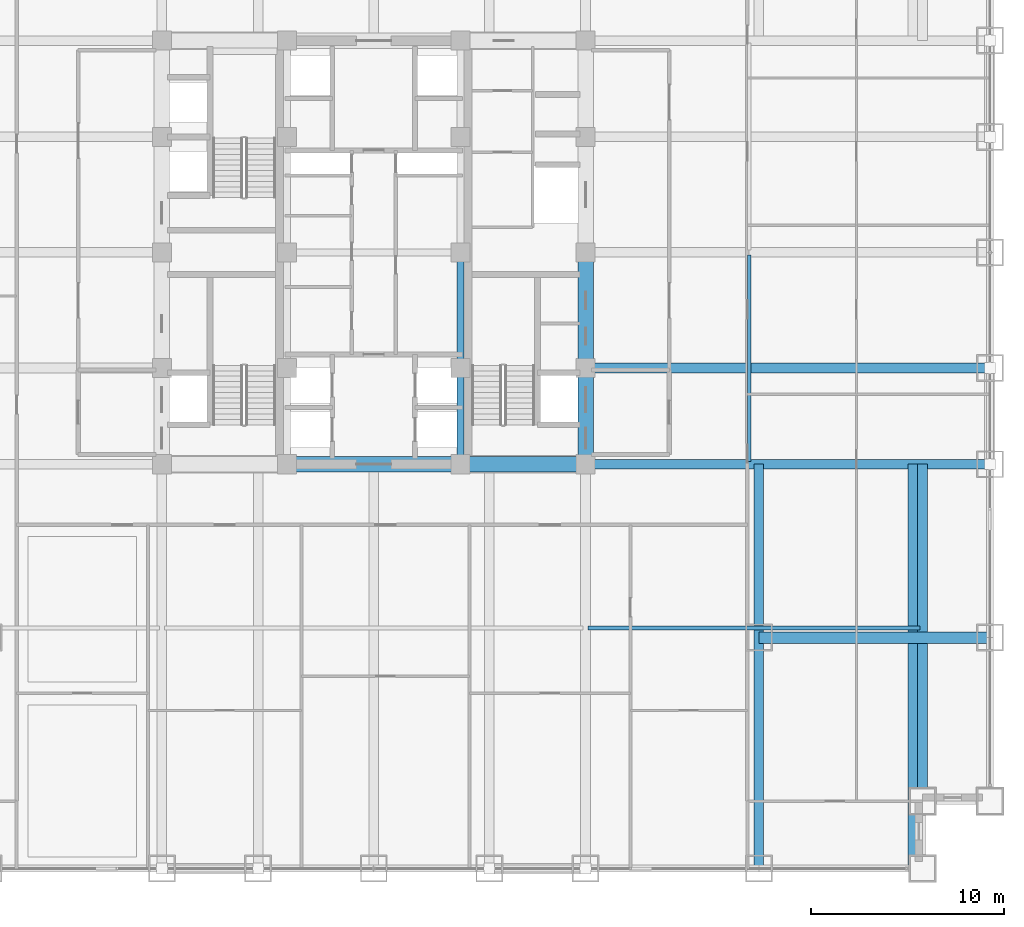
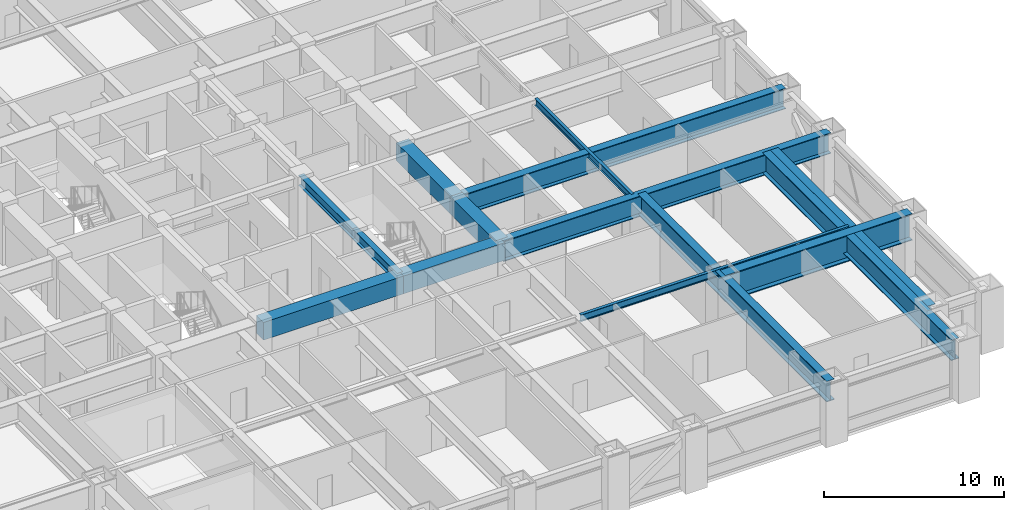
# One storey, part 7 of 29: 14 beams.
"""IFC4 building model written with IfcOpenShell, lengths in metres."""

from ifc_helpers import new_model, si_unit, direction, frame, origin, origin_2d, place, context, subcontext, project, spatial, rectangle, i_section, extrude, source, transform, mapped, material, material_profile, profile_set, type_object, element, save


model = new_model("IFC4")

# Units and contexts
model_context = context("Model", 3, precision=1e-05, world=origin(), true_north=direction((0.0, 1.0)))
body_context = subcontext(model_context, "Body", "Model", "MODEL_VIEW")
ifc_project = project(units=[si_unit("LENGTHUNIT", "METRE"), si_unit("AREAUNIT", "SQUARE_METRE"), si_unit("VOLUMEUNIT", "CUBIC_METRE"), si_unit("PLANEANGLEUNIT", "RADIAN"), si_unit("MASSUNIT", "GRAM", prefix="KILO")], contexts=[model_context])

# Site, building, storey
site_placement = place(None, origin())
site = spatial("IfcSite", under=ifc_project, at=site_placement, CompositionType="ELEMENT")
building_placement = place(site_placement, origin())
building = spatial("IfcBuilding", under=site, at=building_placement, Name="Khorayat Bourse Tower", CompositionType="ELEMENT")
storey_placement = place(building_placement, frame((0.0, 0.0, 87.199951171875)))
storey = spatial("IfcBuildingStorey", under=building, at=storey_placement, Name="L19", CompositionType="ELEMENT", Elevation=87.199951171875)

# Beams
ifc_material_1 = material(Name="Concrete C72/90", Category="concrete")
ifc_material_profile_1 = material_profile(ifc_material_1, rectangle(XDim=0.800048828125, YDim=1.199951171875, at=origin_2d()), Name="RC 800x1200")
ifc_profile_set_1 = profile_set([ifc_material_profile_1], Name="Concrete C72/90")
beam_type_1 = type_object("IfcBeamType", Name="BM-COUP-1200", PredefinedType="BEAM", material=ifc_profile_set_1)
shared_shape_1 = source(origin(), body_context, "Body", "SweptSolid", [
    extrude(rectangle(XDim=0.800048828125, YDim=1.199951171875, at=origin_2d()), origin(), (0.0, 0.0, 1.0), 5.0),
])
beam_1_placement = place(storey_placement, frame((11.0, -11.0, 3.340087890625), z_axis=(0.0, 1.0, 0.0), x_axis=(-1.0, 0.0, 0.0)))
element("IfcBeam", 1, at=beam_1_placement, inside=storey, type_object=beam_type_1, Name="L19 BM-COUP-1200 BM-L19-CRX-13", PredefinedType="BEAM", context=body_context, shape_type="MappedRepresentation", body=[
    mapped(shared_shape_1, transform((0.0, 0.0, 0.0), scale=1.0)),
])
shared_shape_2 = source(origin(), body_context, "Body", "SweptSolid", [
    extrude(rectangle(XDim=0.800048828125, YDim=1.199951171875, at=origin_2d()), origin(), (0.0, 0.0, 1.0), 6.0),
])
beam_2_placement = place(storey_placement, frame((11.0, -6.0, 3.340087890625), z_axis=(0.0, 1.0, 0.0), x_axis=(-1.0, 0.0, 0.0)))
element("IfcBeam", 2, at=beam_2_placement, inside=storey, type_object=beam_type_1, Name="L19 BM-COUP-1200 BM-L19-CRX-14", PredefinedType="BEAM", context=body_context, shape_type="MappedRepresentation", body=[
    mapped(shared_shape_2, transform((0.0, 0.0, 0.0), scale=1.0)),
])
ifc_material_2 = material(Name="Steel ASTM A992 Grade 50", Category="steel")
ifc_material_profile_2 = material_profile(ifc_material_2, i_section(OverallWidth=0.35498046875, OverallDepth=0.695068359375, WebThickness=0.015380859375, FlangeThickness=0.02490234375, FilletRadius=0.01806640625, at=origin_2d()), Name="W690X217")
ifc_profile_set_2 = profile_set([ifc_material_profile_2], Name="Steel ASTM A992 Grade 50")
beam_type_2 = type_object("IfcBeamType", Name="BM-GIRD-690", PredefinedType="BEAM", material=ifc_profile_set_2)
shared_shape_3 = source(origin(), body_context, "Body", "SweptSolid", [
    extrude(i_section(OverallWidth=0.35498046875, OverallDepth=0.695068359375, WebThickness=0.015380859375, FlangeThickness=0.02490234375, FilletRadius=0.01806640625, at=origin_2d()), origin(), (0.0, 0.0, 1.0), 5.0),
])
beam_3_placement = place(storey_placement, frame((4.5, -11.0, 3.592529296875), z_axis=(0.0, 1.0, 0.0), x_axis=(-1.0, 0.0, 0.0)))
element("IfcBeam", 3, at=beam_3_placement, inside=storey, type_object=beam_type_2, Name="L19 BM-GIRD-690 BM-L19-CRX-09", PredefinedType="BEAM", context=body_context, shape_type="MappedRepresentation", body=[
    mapped(shared_shape_3, transform((0.0, 0.0, 0.0), scale=1.0)),
])
shared_shape_4 = source(origin(), body_context, "Body", "SweptSolid", [
    extrude(i_section(OverallWidth=0.35498046875, OverallDepth=0.695068359375, WebThickness=0.015380859375, FlangeThickness=0.02490234375, FilletRadius=0.01806640625, at=origin_2d()), origin(), (0.0, 0.0, 1.0), 6.0),
])
beam_4_placement = place(storey_placement, frame((4.5, -6.0, 3.592529296875), z_axis=(0.0, 1.0, 0.0), x_axis=(-1.0, 0.0, 0.0)))
element("IfcBeam", 4, at=beam_4_placement, inside=storey, type_object=beam_type_2, Name="L19 BM-GIRD-690 BM-L19-CRX-10", PredefinedType="BEAM", context=body_context, shape_type="MappedRepresentation", body=[
    mapped(shared_shape_4, transform((0.0, 0.0, 0.0), scale=1.0)),
])
shared_shape_5 = source(origin(), body_context, "Body", "SweptSolid", [
    extrude(rectangle(XDim=0.800048828125, YDim=1.199951171875, at=origin_2d()), origin(), (0.0, 0.0, 1.0), 6.5),
])
beam_5_placement = place(storey_placement, frame((4.5, -11.0, 3.340087890625), z_axis=(1.0, 0.0, 0.0), x_axis=(0.0, 1.0, 0.0)))
element("IfcBeam", 5, at=beam_5_placement, inside=storey, type_object=beam_type_1, Name="L19 BM-COUP-1200 BM-L19-CRY-19", PredefinedType="BEAM", context=body_context, shape_type="MappedRepresentation", body=[
    mapped(shared_shape_5, transform((0.0, 0.0, 0.0), scale=1.0)),
])
shared_shape_6 = source(origin(), body_context, "Body", "SweptSolid", [
    extrude(rectangle(XDim=0.800048828125, YDim=1.199951171875, at=origin_2d()), origin(), (0.0, 0.0, 1.0), 9.0),
])
beam_6_placement = place(storey_placement, frame((-4.5, -11.0, 3.340087890625), z_axis=(1.0, 0.0, 0.0), x_axis=(0.0, 1.0, 0.0)))
element("IfcBeam", 6, at=beam_6_placement, inside=storey, type_object=beam_type_1, Name="L19 BM-COUP-1200 BM-L19-CRY-18", PredefinedType="BEAM", context=body_context, shape_type="MappedRepresentation", body=[
    mapped(shared_shape_6, transform((0.0, 0.0, 0.0), scale=1.0)),
])
ifc_material_3 = material(Name="Steel EN 10025-4 S460M", Category="steel")
ifc_material_profile_3 = material_profile(ifc_material_3, i_section(OverallWidth=0.60009765625, OverallDepth=1.800048828125, WebThickness=0.031982421875, FlangeThickness=0.06005859375, at=origin_2d()), Name="PG 1800x600x32x60")
ifc_profile_set_3 = profile_set([ifc_material_profile_3], Name="Steel EN 10025-4 S460M")
beam_type_3 = type_object("IfcBeamType", Name="BM-TR-1800", PredefinedType="BEAM", material=ifc_profile_set_3)
shared_shape_7 = source(origin(), body_context, "Body", "SweptSolid", [
    extrude(i_section(OverallWidth=0.60009765625, OverallDepth=1.800048828125, WebThickness=0.031982421875, FlangeThickness=0.06005859375, at=origin_2d()), origin(), (0.0, 0.0, 1.0), 12.0),
])
beam_7_placement = place(storey_placement, frame((20.0, -20.0, 3.0400390625), z_axis=(1.0, 0.0, 0.0), x_axis=(0.0, 1.0, 0.0)))
element("IfcBeam", 7, at=beam_7_placement, inside=storey, type_object=beam_type_3, Name="L19 BM-TR-1800 BM-L19-CNRX-096", PredefinedType="BEAM", context=body_context, shape_type="MappedRepresentation", body=[
    mapped(shared_shape_7, transform((0.0, 0.0, 0.0), scale=1.0)),
])
ifc_material_profile_4 = material_profile(ifc_material_2, i_section(OverallWidth=0.194091796875, OverallDepth=0.468994140625, WebThickness=0.0126953125, FlangeThickness=0.0205078125, FilletRadius=0.012939453125, at=origin_2d()), Name="W460X106")
ifc_profile_set_4 = profile_set([ifc_material_profile_4], Name="Steel ASTM A992 Grade 50")
beam_type_4 = type_object("IfcBeamType", Name="BM-JOIST-460", PredefinedType="JOIST", material=ifc_profile_set_4)
shared_shape_8 = source(origin(), body_context, "Body", "SweptSolid", [
    extrude(i_section(OverallWidth=0.194091796875, OverallDepth=0.468994140625, WebThickness=0.0126953125, FlangeThickness=0.0205078125, FilletRadius=0.012939453125, at=origin_2d()), origin(), (0.0, 0.0, 1.0), 17.240234375),
])
beam_8_placement = place(storey_placement, frame((11.1298828125, -19.5, 3.70556640625), z_axis=(1.0, 0.0, 0.0), x_axis=(0.0, 1.0, 0.0)))
element("IfcBeam", 8, at=beam_8_placement, inside=storey, type_object=beam_type_4, Name="L19 BM-JOIST-460 BM-L19-JSTX-106", PredefinedType="JOIST", context=body_context, shape_type="MappedRepresentation", body=[
    mapped(shared_shape_8, transform((0.0, 0.0, 0.0), scale=1.0)),
])
shared_shape_9 = source(origin(), body_context, "Body", "SweptSolid", [
    extrude(i_section(OverallWidth=0.194091796875, OverallDepth=0.468994140625, WebThickness=0.0126953125, FlangeThickness=0.0205078125, FilletRadius=0.012939453125, at=origin_2d()), origin(), (0.0, 0.0, 1.0), 10.740234375),
])
beam_9_placement = place(storey_placement, frame((19.5, -10.8701171875, 3.70556640625), z_axis=(0.0, 1.0, 0.0), x_axis=(-1.0, 0.0, 0.0)))
element("IfcBeam", 9, at=beam_9_placement, inside=storey, type_object=beam_type_4, Name="L19 BM-JOIST-460 BM-L19-JSTY-112", PredefinedType="JOIST", context=body_context, shape_type="MappedRepresentation", body=[
    mapped(shared_shape_9, transform((0.0, 0.0, 0.0), scale=1.0)),
])
ifc_material_profile_5 = material_profile(ifc_material_3, i_section(OverallWidth=0.5, OverallDepth=1.39990234375, WebThickness=0.02490234375, FlangeThickness=0.050048828125, at=origin_2d()), Name="PG 1400x500x25x50")
ifc_profile_set_5 = profile_set([ifc_material_profile_5], Name="Steel EN 10025-4 S460M")
beam_type_5 = type_object("IfcBeamType", Name="BM-TR-1400", PredefinedType="BEAM", material=ifc_profile_set_5)
shared_shape_10 = source(origin(), body_context, "Body", "SweptSolid", [
    extrude(i_section(OverallWidth=0.5, OverallDepth=1.39990234375, WebThickness=0.02490234375, FlangeThickness=0.050048828125, at=origin_2d()), origin(), (0.0, 0.0, 1.0), 21.0),
])
for number, where, z_axis, x_axis, name in (
    (10, (11.0, -11.0, 3.239990234375), (1.0, 0.0, 0.0), (0.0, 1.0, 0.0), "L19 BM-TR-1400 BM-L19-RADX-074"),
    (11, (11.0, -6.0, 3.239990234375), (1.0, 0.0, 0.0), (0.0, 1.0, 0.0), "L19 BM-TR-1400 BM-L19-RADX-076"),
    (12, (20.0, -32.0, 3.239990234375), (0.0, 1.0, 0.0), (-1.0, 0.0, 0.0), "L19 BM-TR-1400 BM-L19-CNRY-086"),
    (13, (28.0, -32.0, 3.239990234375), (0.0, 1.0, 0.0), (-1.0, 0.0, 0.0), "L19 BM-TR-1400 BM-L19-CNRY-090"),
):
    element("IfcBeam", number, at=place(storey_placement, frame(where, z_axis=z_axis, x_axis=x_axis)), inside=storey, type_object=beam_type_5, Name=name, PredefinedType="BEAM", context=body_context, shape_type="MappedRepresentation", body=[
        mapped(shared_shape_10, transform((0.0, 0.0, 0.0), scale=1.0)),
    ])
shared_shape_11 = source(origin(), body_context, "Body", "SweptSolid", [
    extrude(i_section(OverallWidth=0.5, OverallDepth=1.39990234375, WebThickness=0.02490234375, FlangeThickness=0.050048828125, at=origin_2d()), origin(), (0.0, 0.0, 1.0), 17.5),
])
beam_10_placement = place(storey_placement, frame((28.5, -28.5, 3.239990234375), z_axis=(0.0, 1.0, 0.0), x_axis=(-1.0, 0.0, 0.0)))
element("IfcBeam", 14, at=beam_10_placement, inside=storey, type_object=beam_type_5, Name="L19 BM-TR-1400 BM-L19-CNRY-094", PredefinedType="BEAM", context=body_context, shape_type="MappedRepresentation", body=[
    mapped(shared_shape_11, transform((0.0, 0.0, 0.0), scale=1.0)),
])

save(model, "model.ifc")
